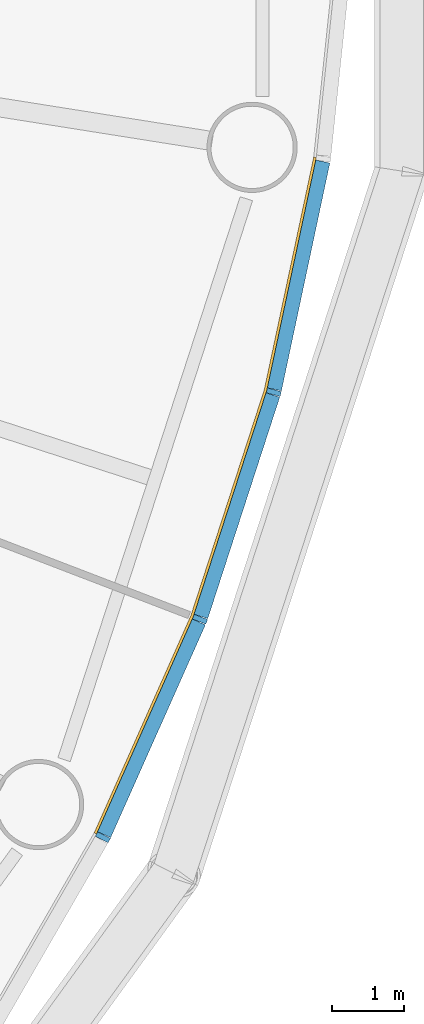
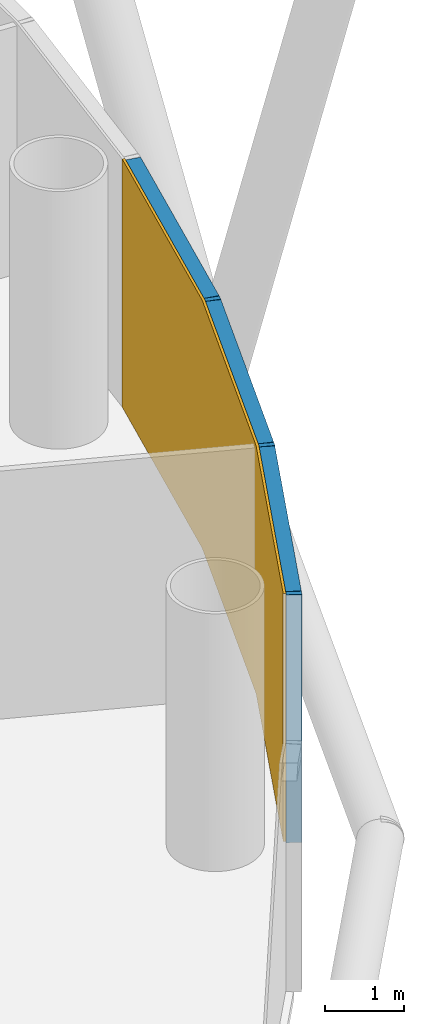
# One storey, part 10 of 14: 6 members, 1 curtain wall.
"""IFC4 building model written with IfcOpenShell, lengths in metres."""

from ifc_helpers import new_model, si_unit, direction, frame, origin, origin_2d, place, context, subcontext, project, spatial, polyline, rectangle, outline, extrude, material, layer, layer_set, material_profile, profile_set, type_object, element, aggregate, save


model = new_model("IFC4")

# Units and contexts
model_context = context("Model", 3, precision=1e-05, world=origin(), true_north=direction((0.0, 1.0)))
body_context = subcontext(model_context, "Body", "Model", "MODEL_VIEW")
ifc_project = project(units=[si_unit("LENGTHUNIT", "METRE"), si_unit("AREAUNIT", "SQUARE_METRE"), si_unit("VOLUMEUNIT", "CUBIC_METRE"), si_unit("PLANEANGLEUNIT", "RADIAN"), si_unit("MASSUNIT", "GRAM", prefix="KILO")], contexts=[model_context])

# Member
ifc_material_1 = material(Name="Anodised aluminium", Category="aluminium")
ifc_material_profile_1 = material_profile(ifc_material_1, rectangle(XDim=0.070068359375, YDim=0.199951171875, at=origin_2d()), Name="Mullion 70 x 200 mm anodised aluminium")
ifc_profile_set_1 = profile_set([ifc_material_profile_1], Name="Anodised aluminium")
member_type_1 = type_object("IfcMemberType", Name="Mullion 70 x 200 mm anodised aluminium", PredefinedType="MULLION", material=ifc_profile_set_1)
site_placement = place(None, origin())
building_placement = place(site_placement, origin())
storey_placement = place(building_placement, frame((0.0, 0.0, 80.0)))
member_1_placement = place(storey_placement, frame((118.15576171875, 65.65380859375, 0.0), z_axis=(0.0, 0.0, 1.0), x_axis=(0.45399049974, 0.891006524188, 0.0)))
member_1 = element("IfcMember", 1, at=member_1_placement, type_object=member_type_1, Name="MULLION L17-54", PredefinedType="MULLION", context=body_context, shape_type="SweptSolid", body=[
    extrude(rectangle(XDim=0.070068359375, YDim=0.199951171875, at=origin_2d()), origin(), (0.0, 0.0, 1.0), 3.85009765625),
])

member_2_placement = place(storey_placement, frame((119.501220703125, 68.675537109375, 0.0), z_axis=(0.0, 0.0, 1.0), x_axis=(0.358367949545, 0.933580426497, 0.0)))
member_2 = element("IfcMember", 2, at=member_2_placement, type_object=member_type_1, Name="MULLION L17-55", PredefinedType="MULLION", context=body_context, shape_type="SweptSolid", body=[
    extrude(rectangle(XDim=0.070068359375, YDim=0.199951171875, at=origin_2d()), origin(), (0.0, 0.0, 1.0), 3.85009765625),
])

member_3_placement = place(storey_placement, frame((120.523193359375, 71.8212890625, 0.0), z_axis=(0.0, 0.0, 1.0), x_axis=(0.258819045103, 0.965925826289, 0.0)))
member_3 = element("IfcMember", 3, at=member_3_placement, type_object=member_type_1, Name="MULLION L17-56", PredefinedType="MULLION", context=body_context, shape_type="SweptSolid", body=[
    extrude(rectangle(XDim=0.070068359375, YDim=0.199951171875, at=origin_2d()), origin(), (0.0, 0.0, 1.0), 3.85009765625),
])

ifc_material_2 = material(Name="Anodised aluminium", Category="aluminium")
ifc_material_profile_2 = material_profile(ifc_material_2, rectangle(XDim=0.199951171875, YDim=0.18994140625, at=origin_2d()), Name="Transom 190 x 200 mm anodised aluminium")
ifc_profile_set_2 = profile_set([ifc_material_profile_2], Name="Anodised aluminium")
member_type_2 = type_object("IfcMemberType", Name="Transom 190 x 200 mm anodised aluminium", PredefinedType="USERDEFINED", material=ifc_profile_set_2)
member_4_placement = place(storey_placement, frame((118.17236328125, 65.690673828125, 3.7548828125), z_axis=(0.406728032322, 0.913549291349, 0.0), x_axis=(-0.913549291349, 0.406728032322, 0.0)))
member_4 = element("IfcMember", 4, at=member_4_placement, type_object=member_type_2, Name="TRANSOM L17-54", ObjectType="TRANSOM", PredefinedType="USERDEFINED", context=body_context, shape_type="SweptSolid", body=[
    extrude(rectangle(XDim=0.199951171875, YDim=0.18994140625, at=origin_2d()), origin(), (0.0, 0.0, 1.0), 3.22705078125),
])

member_5_placement = place(storey_placement, frame((119.513671875, 68.7138671875, 3.7548828125), z_axis=(0.309046726844, 0.951046855117, 0.0), x_axis=(-0.951046855117, 0.309046726844, 0.0)))
member_5 = element("IfcMember", 5, at=member_5_placement, type_object=member_type_2, Name="TRANSOM L17-55", ObjectType="TRANSOM", PredefinedType="USERDEFINED", context=body_context, shape_type="SweptSolid", body=[
    extrude(rectangle(XDim=0.199951171875, YDim=0.18994140625, at=origin_2d()), origin(), (0.0, 0.0, 1.0), 3.22705078125),
])

member_6_placement = place(storey_placement, frame((120.53173828125, 71.860595703125, 3.7548828125), z_axis=(0.207885898771, 0.978153082647, 0.0), x_axis=(-0.978153082647, 0.207885898771, 0.0)))
member_6 = element("IfcMember", 6, at=member_6_placement, type_object=member_type_2, Name="TRANSOM L17-56", ObjectType="TRANSOM", PredefinedType="USERDEFINED", context=body_context, shape_type="SweptSolid", body=[
    extrude(rectangle(XDim=0.199951171875, YDim=0.18994140625, at=origin_2d()), origin(), (0.0, 0.0, 1.0), 3.227294921875),
])

# Site, building, storey
site = spatial("IfcSite", under=ifc_project, at=site_placement, CompositionType="ELEMENT")
building = spatial("IfcBuilding", under=site, at=building_placement, Name="Entoto Ring Tower", CompositionType="ELEMENT")
storey = spatial("IfcBuildingStorey", under=building, at=storey_placement, Name="L17", CompositionType="ELEMENT", Elevation=80.0)

# Curtain wall
ifc_material_3 = material(Name="Clear low-iron glass", Category="glass")
ifc_layer = layer(ifc_material_3, 0.035888671875)
ifc_layer_set = layer_set([ifc_layer], Name="Clear low-iron glass")
curtain_wall_type = type_object("IfcCurtainWallType", Name="Curtain wall system CW2 glazing 36 mm", PredefinedType="NOTDEFINED", material=ifc_layer_set)
curtain_wall_placement = place(storey_placement, origin())
curtain_wall = element("IfcCurtainWall", 7, at=curtain_wall_placement, inside=storey, type_object=curtain_wall_type, Name="CW2 L17-19", PredefinedType="NOTDEFINED", context=body_context, shape_type="SweptSolid", body=[
    extrude(outline(polyline([(118.066650390625, 65.69921875), (119.40771484375, 68.71142578125), (120.4267578125, 71.84716796875), (121.1123046875, 75.072265625), (121.07666015625, 75.077880859375), (120.391845703125, 71.8564453125), (119.3740234375, 68.724365234375), (118.03466796875, 65.715576171875), (118.066650390625, 65.69921875)])), origin(), (0.0, 0.0, 1.0), 3.85009765625),
])

aggregate(curtain_wall, [member_1, member_2, member_3, member_4, member_5, member_6])

save(model, "model.ifc")
